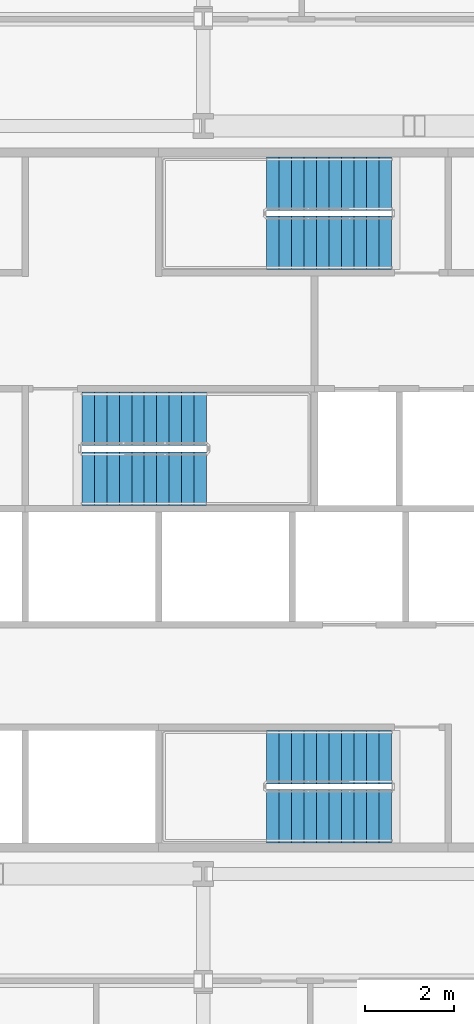
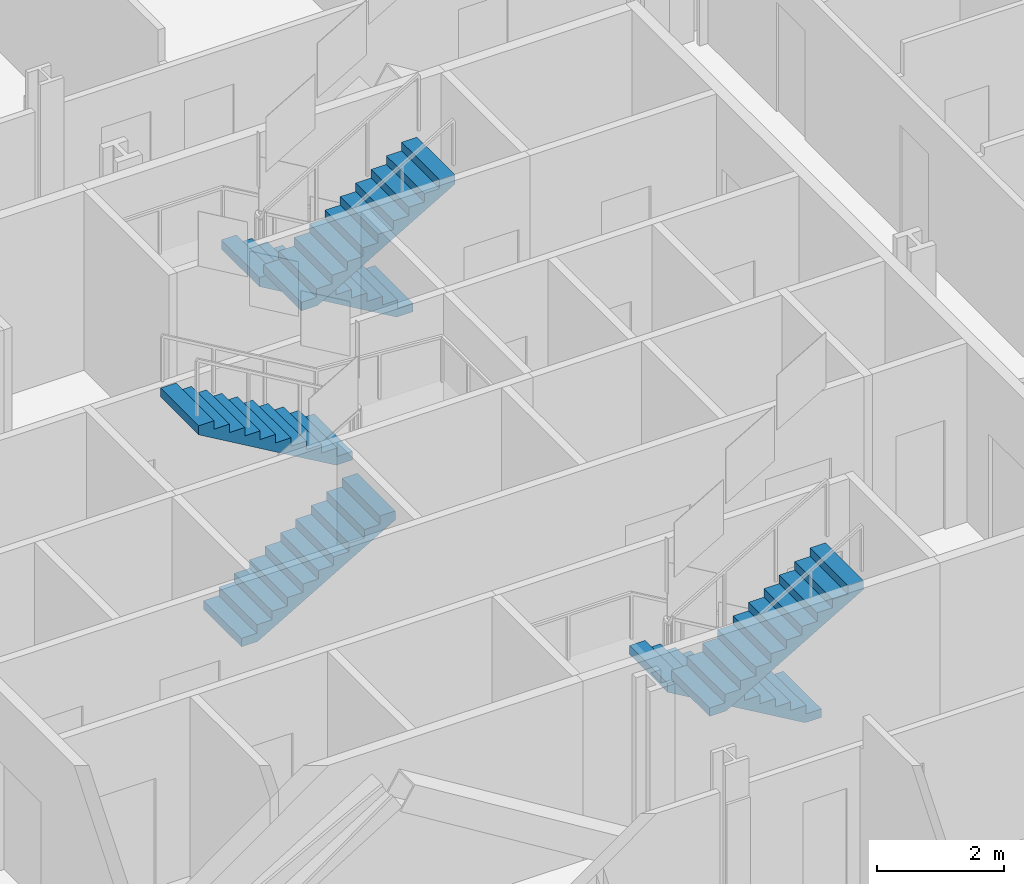
# One storey, part 14 of 21: 6 stair flights, 3 elements without a shape of their own.
"""IFC4 building model written with IfcOpenShell, lengths in metres."""

from ifc_helpers import new_model, si_unit, direction, frame, origin, place, context, subcontext, project, spatial, polyline, outline, extrude, material, type_object, element, aggregate, save


model = new_model("IFC4")

# Units and contexts
model_context = context("Model", 3, precision=1e-05, world=origin(), true_north=direction((0.0, 1.0)))
body_context = subcontext(model_context, "Body", "Model", "MODEL_VIEW")
ifc_project = project(units=[si_unit("LENGTHUNIT", "METRE"), si_unit("AREAUNIT", "SQUARE_METRE"), si_unit("VOLUMEUNIT", "CUBIC_METRE"), si_unit("PLANEANGLEUNIT", "RADIAN"), si_unit("MASSUNIT", "GRAM", prefix="KILO")], contexts=[model_context])

# Site, building, storey
site_placement = place(None, origin())
site = spatial("IfcSite", under=ifc_project, at=site_placement, CompositionType="ELEMENT")
building_placement = place(site_placement, origin())
building = spatial("IfcBuilding", under=site, at=building_placement, Name="Cairn Pilgrim Tower", CompositionType="ELEMENT")
storey_placement = place(building_placement, frame((0.0, 0.0, 43.800048828125)))
storey = spatial("IfcBuildingStorey", under=building, at=storey_placement, Name="L08", CompositionType="ELEMENT", Elevation=43.800048828125)

# Stair, stair flights
ifc_material = material(Name="Concrete C32/40", Category="concrete")
stair_type = type_object("IfcStairType", Name="EXIT STAIR 1200", PredefinedType="HALF_TURN_STAIR", material=ifc_material)
stair_1_placement = place(storey_placement, origin())
stair_1 = element("IfcStair", 1, at=stair_1_placement, inside=storey, type_object=stair_type, Name="L08 Exit Stair A", PredefinedType="HALF_TURN_STAIR")
stair_flight_type = type_object("IfcStairFlightType", Name="STAIR FLIGHT 1200", PredefinedType="STRAIGHT", material=ifc_material)
stair_flight_1_placement = place(storey_placement, frame((11.425048828125, -3.375, 0.0), z_axis=(0.0, 0.0, 1.0), x_axis=(-1.0, 0.0, 0.0)))
stair_flight_1 = element("IfcStairFlight", 2, at=stair_flight_1_placement, type_object=stair_flight_type, Name="ST-A flight 1", NumberOfRisers=11, NumberOfTreads=10, PredefinedType="STRAIGHT", RiserHeight=0.163636364, TreadLength=0.28, context=body_context, shape_type="SweptSolid", body=[
    extrude(outline(polyline([(0.0, 0.0), (0.0, 0.16357421875), (0.280029296875, 0.16357421875), (0.280029296875, 0.327392578125), (0.56005859375, 0.327392578125), (0.56005859375, 0.490966796875), (0.840087890625, 0.490966796875), (0.840087890625, 0.654541015625), (1.1201171875, 0.654541015625), (1.1201171875, 0.818115234375), (1.39990234375, 0.818115234375), (1.39990234375, 0.98193359375), (1.679931640625, 0.98193359375), (1.679931640625, 1.1455078125), (1.9599609375, 1.1455078125), (1.9599609375, 1.30908203125), (2.239990234375, 1.30908203125), (2.239990234375, 1.47265625), (2.52001953125, 1.47265625), (2.52001953125, 1.636474609375), (2.800048828125, 1.636474609375), (2.800048828125, 1.800048828125), (2.800048828125, 1.462646484375), (0.297119140625, 0.0), (0.0, 0.0)])), frame((0.0, 0.60009765625, 0.0), z_axis=(0.0, -1.0, 0.0), x_axis=(1.0, 0.0, 0.0)), (0.0, 0.0, 1.0), 1.199951171875),
])
stair_flight_2_placement = place(storey_placement, frame((8.625, -4.699951171875, 1.800048828125), z_axis=(0.0, 0.0, 1.0), x_axis=(1.0, 0.0, 0.0)))
stair_flight_2 = element("IfcStairFlight", 3, at=stair_flight_2_placement, type_object=stair_flight_type, Name="ST-A flight 2", NumberOfRisers=11, NumberOfTreads=10, PredefinedType="STRAIGHT", RiserHeight=0.163636364, TreadLength=0.28, context=body_context, shape_type="SweptSolid", body=[
    extrude(outline(polyline([(0.0, 0.0), (0.0, 0.16357421875), (0.280029296875, 0.16357421875), (0.280029296875, 0.327392578125), (0.56005859375, 0.327392578125), (0.56005859375, 0.490966796875), (0.840087890625, 0.490966796875), (0.840087890625, 0.654541015625), (1.1201171875, 0.654541015625), (1.1201171875, 0.818115234375), (1.39990234375, 0.818115234375), (1.39990234375, 0.98193359375), (1.679931640625, 0.98193359375), (1.679931640625, 1.1455078125), (1.9599609375, 1.1455078125), (1.9599609375, 1.30908203125), (2.239990234375, 1.30908203125), (2.239990234375, 1.47265625), (2.52001953125, 1.47265625), (2.52001953125, 1.636474609375), (2.800048828125, 1.636474609375), (2.800048828125, 1.800048828125), (2.800048828125, 1.462646484375), (0.297119140625, 0.0), (0.0, 0.0)])), frame((0.0, 0.60009765625, 0.0), z_axis=(0.0, -1.0, 0.0), x_axis=(1.0, 0.0, 0.0)), (0.0, 0.0, 1.0), 1.199951171875),
])
aggregate(stair_1, [stair_flight_1, stair_flight_2])

stair_2_placement = place(storey_placement, origin())
stair_2 = element("IfcStair", 4, at=stair_2_placement, inside=storey, type_object=stair_type, Name="L08 Exit Stair B", PredefinedType="HALF_TURN_STAIR")
stair_flight_3_placement = place(storey_placement, frame((4.47509765625, 2.875, 0.0), z_axis=(0.0, 0.0, 1.0), x_axis=(1.0, 0.0, 0.0)))
stair_flight_3 = element("IfcStairFlight", 5, at=stair_flight_3_placement, type_object=stair_flight_type, Name="ST-B flight 1", NumberOfRisers=11, NumberOfTreads=10, PredefinedType="STRAIGHT", RiserHeight=0.163636364, TreadLength=0.28, context=body_context, shape_type="SweptSolid", body=[
    extrude(outline(polyline([(0.0, 0.0), (0.0, 0.16357421875), (0.280029296875, 0.16357421875), (0.280029296875, 0.327392578125), (0.56005859375, 0.327392578125), (0.56005859375, 0.490966796875), (0.840087890625, 0.490966796875), (0.840087890625, 0.654541015625), (1.1201171875, 0.654541015625), (1.1201171875, 0.818115234375), (1.39990234375, 0.818115234375), (1.39990234375, 0.98193359375), (1.679931640625, 0.98193359375), (1.679931640625, 1.1455078125), (1.9599609375, 1.1455078125), (1.9599609375, 1.30908203125), (2.239990234375, 1.30908203125), (2.239990234375, 1.47265625), (2.52001953125, 1.47265625), (2.52001953125, 1.636474609375), (2.800048828125, 1.636474609375), (2.800048828125, 1.800048828125), (2.800048828125, 1.462646484375), (0.297119140625, 0.0), (0.0, 0.0)])), frame((0.0, 0.60009765625, 0.0), z_axis=(0.0, -1.0, 0.0), x_axis=(1.0, 0.0, 0.0)), (0.0, 0.0, 1.0), 1.199951171875),
])
stair_flight_4_placement = place(storey_placement, frame((7.27490234375, 4.22509765625, 1.800048828125), z_axis=(0.0, 0.0, 1.0), x_axis=(-1.0, 0.0, 0.0)))
stair_flight_4 = element("IfcStairFlight", 6, at=stair_flight_4_placement, type_object=stair_flight_type, Name="ST-B flight 2", NumberOfRisers=11, NumberOfTreads=10, PredefinedType="STRAIGHT", RiserHeight=0.163636364, TreadLength=0.28, context=body_context, shape_type="SweptSolid", body=[
    extrude(outline(polyline([(0.0, 0.0), (0.0, 0.16357421875), (0.280029296875, 0.16357421875), (0.280029296875, 0.327392578125), (0.56005859375, 0.327392578125), (0.56005859375, 0.490966796875), (0.840087890625, 0.490966796875), (0.840087890625, 0.654541015625), (1.1201171875, 0.654541015625), (1.1201171875, 0.818115234375), (1.39990234375, 0.818115234375), (1.39990234375, 0.98193359375), (1.679931640625, 0.98193359375), (1.679931640625, 1.1455078125), (1.9599609375, 1.1455078125), (1.9599609375, 1.30908203125), (2.239990234375, 1.30908203125), (2.239990234375, 1.47265625), (2.52001953125, 1.47265625), (2.52001953125, 1.636474609375), (2.800048828125, 1.636474609375), (2.800048828125, 1.800048828125), (2.800048828125, 1.462646484375), (0.297119140625, 0.0), (0.0, 0.0)])), frame((0.0, 0.60009765625, 0.0), z_axis=(0.0, -1.0, 0.0), x_axis=(1.0, 0.0, 0.0)), (0.0, 0.0, 1.0), 1.199951171875),
])
aggregate(stair_2, [stair_flight_3, stair_flight_4])

stair_3_placement = place(storey_placement, origin())
stair_3 = element("IfcStair", 7, at=stair_3_placement, inside=storey, type_object=stair_type, Name="L08 Exit Stair C", PredefinedType="HALF_TURN_STAIR")
stair_flight_5_placement = place(storey_placement, frame((11.425048828125, 9.5, 0.0), z_axis=(0.0, 0.0, 1.0), x_axis=(-1.0, 0.0, 0.0)))
stair_flight_5 = element("IfcStairFlight", 8, at=stair_flight_5_placement, type_object=stair_flight_type, Name="ST-C flight 1", NumberOfRisers=11, NumberOfTreads=10, PredefinedType="STRAIGHT", RiserHeight=0.163636364, TreadLength=0.28, context=body_context, shape_type="SweptSolid", body=[
    extrude(outline(polyline([(0.0, 0.0), (0.0, 0.16357421875), (0.280029296875, 0.16357421875), (0.280029296875, 0.327392578125), (0.56005859375, 0.327392578125), (0.56005859375, 0.490966796875), (0.840087890625, 0.490966796875), (0.840087890625, 0.654541015625), (1.1201171875, 0.654541015625), (1.1201171875, 0.818115234375), (1.39990234375, 0.818115234375), (1.39990234375, 0.98193359375), (1.679931640625, 0.98193359375), (1.679931640625, 1.1455078125), (1.9599609375, 1.1455078125), (1.9599609375, 1.30908203125), (2.239990234375, 1.30908203125), (2.239990234375, 1.47265625), (2.52001953125, 1.47265625), (2.52001953125, 1.636474609375), (2.800048828125, 1.636474609375), (2.800048828125, 1.800048828125), (2.800048828125, 1.462646484375), (0.297119140625, 0.0), (0.0, 0.0)])), frame((0.0, 0.60009765625, 0.0), z_axis=(0.0, -1.0, 0.0), x_axis=(1.0, 0.0, 0.0)), (0.0, 0.0, 1.0), 1.199951171875),
])
stair_flight_6_placement = place(storey_placement, frame((8.625, 8.175048828125, 1.800048828125), z_axis=(0.0, 0.0, 1.0), x_axis=(1.0, 0.0, 0.0)))
stair_flight_6 = element("IfcStairFlight", 9, at=stair_flight_6_placement, type_object=stair_flight_type, Name="ST-C flight 2", NumberOfRisers=11, NumberOfTreads=10, PredefinedType="STRAIGHT", RiserHeight=0.163636364, TreadLength=0.28, context=body_context, shape_type="SweptSolid", body=[
    extrude(outline(polyline([(0.0, 0.0), (0.0, 0.16357421875), (0.280029296875, 0.16357421875), (0.280029296875, 0.327392578125), (0.56005859375, 0.327392578125), (0.56005859375, 0.490966796875), (0.840087890625, 0.490966796875), (0.840087890625, 0.654541015625), (1.1201171875, 0.654541015625), (1.1201171875, 0.818115234375), (1.39990234375, 0.818115234375), (1.39990234375, 0.98193359375), (1.679931640625, 0.98193359375), (1.679931640625, 1.1455078125), (1.9599609375, 1.1455078125), (1.9599609375, 1.30908203125), (2.239990234375, 1.30908203125), (2.239990234375, 1.47265625), (2.52001953125, 1.47265625), (2.52001953125, 1.636474609375), (2.800048828125, 1.636474609375), (2.800048828125, 1.800048828125), (2.800048828125, 1.462646484375), (0.297119140625, 0.0), (0.0, 0.0)])), frame((0.0, 0.60009765625, 0.0), z_axis=(0.0, -1.0, 0.0), x_axis=(1.0, 0.0, 0.0)), (0.0, 0.0, 1.0), 1.199951171875),
])
aggregate(stair_3, [stair_flight_5, stair_flight_6])

save(model, "model.ifc")
